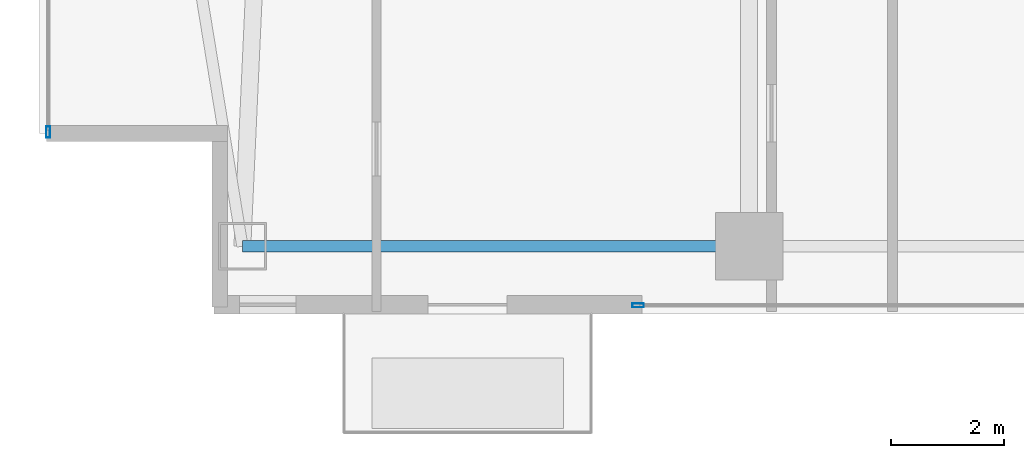
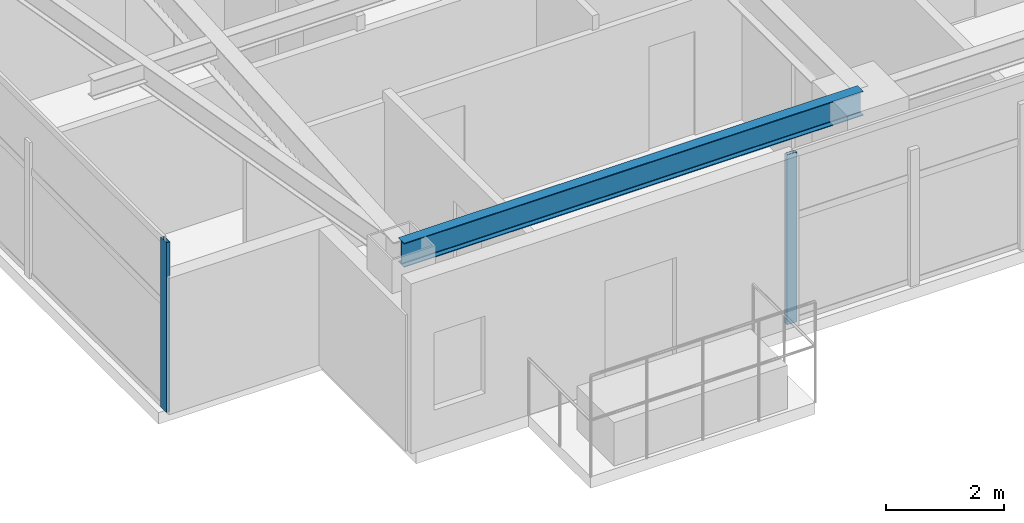
# One storey, part 2 of 28: 2 members, 1 beam, 2 elements without a shape of their own.
"""IFC4 building model written with IfcOpenShell, lengths in metres."""

from ifc_helpers import new_model, si_unit, direction, frame, origin, origin_2d, place, context, subcontext, project, spatial, hollow_rectangle, i_section, extrude, material, layer, layer_set, material_profile, profile_set, type_object, element, aggregate, save


model = new_model("IFC4")

# Units and contexts
model_context = context("Model", 3, precision=1e-05, world=origin(), true_north=direction((0.0, 1.0)))
body_context = subcontext(model_context, "Body", "Model", "MODEL_VIEW")
ifc_project = project(units=[si_unit("LENGTHUNIT", "METRE"), si_unit("AREAUNIT", "SQUARE_METRE"), si_unit("VOLUMEUNIT", "CUBIC_METRE"), si_unit("PLANEANGLEUNIT", "RADIAN"), si_unit("MASSUNIT", "GRAM", prefix="KILO")], contexts=[model_context])

# Site, building, storey
site_placement = place(None, origin())
site = spatial("IfcSite", under=ifc_project, at=site_placement, CompositionType="ELEMENT")
building_placement = place(site_placement, origin())
building = spatial("IfcBuilding", under=site, at=building_placement, Name="Calvorn Quay Hotel", CompositionType="ELEMENT")
storey_placement = place(building_placement, frame((0.0, 0.0, 135.39990234375)))
storey = spatial("IfcBuildingStorey", under=building, at=storey_placement, Name="L33", CompositionType="ELEMENT", Elevation=135.39990234375)

# Beam
ifc_material_1 = material(Name="Steel Q355B", Category="steel")
ifc_material_profile_1 = material_profile(ifc_material_1, i_section(OverallWidth=0.199951171875, OverallDepth=0.5, WebThickness=0.010009765625, FlangeThickness=0.01611328125, FilletRadius=0.01611328125, at=origin_2d()), Name="HN500x200x10x16")
ifc_profile_set_1 = profile_set([ifc_material_profile_1], Name="Steel Q355B")
beam_type = type_object("IfcBeamType", Name="BM-SPANDREL-Z1", PredefinedType="SPANDREL", material=ifc_profile_set_1)
beam_placement = place(storey_placement, frame((3.60009765625, 3.60009765625, 3.27001953125), z_axis=(1.0, 0.0, 0.0), x_axis=(0.0, 1.0, 0.0)))
element("IfcBeam", 1, at=beam_placement, inside=storey, type_object=beam_type, Name="Beam BSP-L33-S1", PredefinedType="SPANDREL", context=body_context, shape_type="SweptSolid", body=[
    extrude(i_section(OverallWidth=0.199951171875, OverallDepth=0.5, WebThickness=0.010009765625, FlangeThickness=0.01611328125, FilletRadius=0.01611328125, at=origin_2d()), origin(), (0.0, 0.0, 1.0), 9.0),
])

# Curtain wall, member
ifc_material_2 = material(Name="Pale Anodised Aluminium and Low-E Glass", Category="aluminium")
ifc_layer = layer(ifc_material_2, 0.219970703125)
ifc_layer_set = layer_set([ifc_layer], Name="CW-SYS-Z2")
curtain_wall_type = type_object("IfcCurtainWallType", Name="CW-SYS-Z2", PredefinedType="NOTDEFINED", material=ifc_layer_set)
curtain_wall_1_placement = place(storey_placement, origin())
curtain_wall_1 = element("IfcCurtainWall", 2, at=curtain_wall_1_placement, inside=storey, type_object=curtain_wall_type, Name="Tower West Curtain Wall (L33)", PredefinedType="NOTDEFINED")
ifc_material_3 = material(Name="Pale Anodised Aluminium 6063-T6", Category="aluminium")
ifc_material_profile_2 = material_profile(ifc_material_3, hollow_rectangle(XDim=0.070068359375, YDim=0.199951171875, WallThickness=0.00390625, at=origin_2d()), Name="ALU-M200x70x4")
ifc_profile_set_2 = profile_set([ifc_material_profile_2], Name="Pale Anodised Aluminium 6063-T6")
member_type = type_object("IfcMemberType", Name="CW-SYS-Z2-MUL", PredefinedType="MULLION", material=ifc_profile_set_2)
member_1_placement = place(storey_placement, frame((0.14990234375, 5.6298828125, 0.0), z_axis=(0.0, 0.0, 1.0), x_axis=(-1.0, 0.0, 0.0)))
member_1 = element("IfcMember", 3, at=member_1_placement, type_object=member_type, Name="CW-L33-W mullion 1", PredefinedType="MULLION", context=body_context, shape_type="SweptSolid", body=[
    extrude(hollow_rectangle(XDim=0.070068359375, YDim=0.199951171875, WallThickness=0.00390625, at=origin_2d()), origin(), (0.0, 0.0, 1.0), 3.52001953125),
])
aggregate(curtain_wall_1, [member_1])

curtain_wall_2_placement = place(storey_placement, origin())
curtain_wall_2 = element("IfcCurtainWall", 4, at=curtain_wall_2_placement, inside=storey, type_object=curtain_wall_type, Name="Tower South Waterfront Curtain Wall (L33)", PredefinedType="NOTDEFINED")
member_2_placement = place(storey_placement, frame((10.6298828125, 2.550048828125, 0.0), z_axis=(0.0, 0.0, 1.0), x_axis=(0.0, 1.0, 0.0)))
member_2 = element("IfcMember", 5, at=member_2_placement, type_object=member_type, Name="CW-L33-S mullion 1", PredefinedType="MULLION", context=body_context, shape_type="SweptSolid", body=[
    extrude(hollow_rectangle(XDim=0.070068359375, YDim=0.199951171875, WallThickness=0.00390625, at=origin_2d()), origin(), (0.0, 0.0, 1.0), 3.52001953125),
])
aggregate(curtain_wall_2, [member_2])

save(model, "model.ifc")
